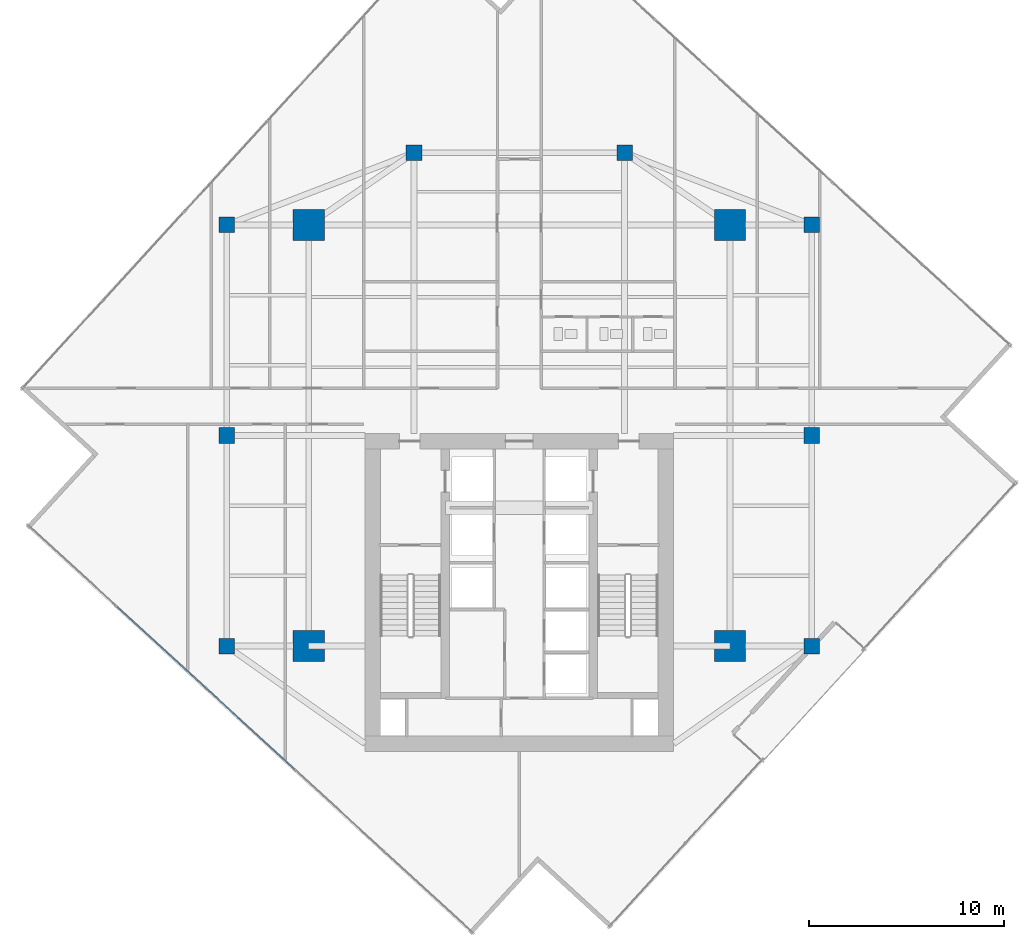
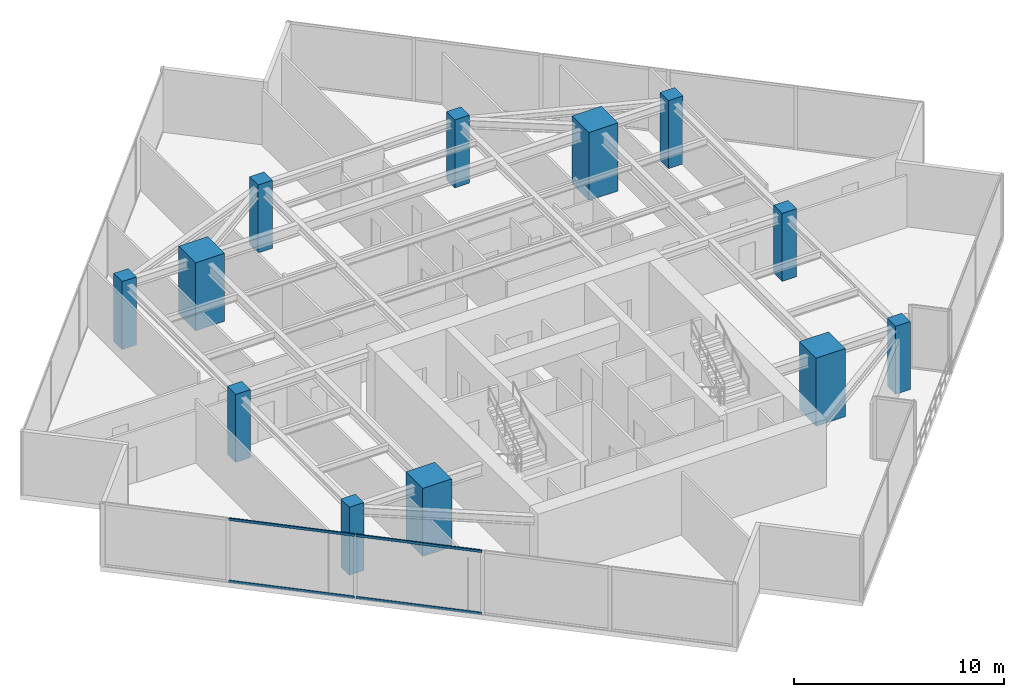
# One storey, part 1 of 26: 12 columns, 4 members, 1 element without a shape of its own.
"""IFC4 building model written with IfcOpenShell, lengths in metres."""

from ifc_helpers import new_model, si_unit, direction, frame, origin, origin_2d, place, context, subcontext, project, spatial, rectangle, hollow_rectangle, extrude, source, transform, mapped, material, material_profile, profile_set, type_object, type_shapes, element, aggregate, save


model = new_model("IFC4")

# Units and contexts
model_context = context("Model", 3, precision=1e-05, world=origin(), true_north=direction((0.0, 1.0)))
body_context = subcontext(model_context, "Body", "Model", "MODEL_VIEW")
ifc_project = project(units=[si_unit("LENGTHUNIT", "METRE"), si_unit("AREAUNIT", "SQUARE_METRE"), si_unit("VOLUMEUNIT", "CUBIC_METRE"), si_unit("PLANEANGLEUNIT", "RADIAN"), si_unit("MASSUNIT", "GRAM", prefix="KILO")], contexts=[model_context])

# Site, building, storey
site_placement = place(None, origin())
site = spatial("IfcSite", under=ifc_project, at=site_placement, CompositionType="ELEMENT")
building_placement = place(site_placement, origin())
building = spatial("IfcBuilding", under=site, at=building_placement, Name="Krantzveldt Concourse Tower", CompositionType="ELEMENT")
storey_placement = place(building_placement, frame((0.0, 0.0, 227.050048828125)))
storey = spatial("IfcBuildingStorey", under=building, at=storey_placement, Name="L55", CompositionType="ELEMENT", Elevation=227.050048828125)

# Columns
ifc_material_1 = material(Name="Concrete C50/60", Category="concrete")
ifc_material_profile_1 = material_profile(ifc_material_1, rectangle(XDim=1.60009765625, YDim=1.60009765625, at=origin_2d()), Name="Concrete C50/60", Category="concrete")
ifc_profile_set_1 = profile_set([ifc_material_profile_1], Name="Concrete C50/60 - RC 1600x1600")
column_type_1 = type_object("IfcColumnType", Name="COL-MC-1600", PredefinedType="USERDEFINED", material=ifc_profile_set_1)
shared_shape_1 = source(origin(), body_context, "Body", "SweptSolid", [
    extrude(rectangle(XDim=1.60009765625, YDim=1.60009765625, at=origin_2d()), origin(), (0.0, 0.0, 1.0), 3.949951171875),
])
type_shapes(column_type_1, [shared_shape_1])
for number, where, z_axis, x_axis, name in (
    (1, (25.199951171875, 15.89990234375, 0.0), (0.0, 0.0, 1.0), (1.0, 0.0, 0.0), "MC-SW-L55"),
    (2, (46.800048828125, 15.89990234375, 0.0), (0.0, 0.0, 1.0), (1.0, 0.0, 0.0), "MC-SE-L55"),
    (3, (46.800048828125, 37.5, 0.0), (0.0, 0.0, 1.0), (1.0, 0.0, 0.0), "MC-NE-L55"),
    (4, (25.199951171875, 37.5, 0.0), (0.0, 0.0, 1.0), (1.0, 0.0, 0.0), "MC-NW-L55"),
):
    element("IfcColumn", number, at=place(storey_placement, frame(where, z_axis=z_axis, x_axis=x_axis)), inside=storey, type_object=column_type_1, Name=name, ObjectType="MEGA COLUMN", PredefinedType="USERDEFINED", context=body_context, shape_type="MappedRepresentation", body=[
        mapped(shared_shape_1, transform((0.0, 0.0, 0.0), x_axis=(1.0, 0.0, 0.0), y_axis=(0.0, 1.0, 0.0), z_axis=(0.0, 0.0, 1.0), scale=1.0)),
    ])
ifc_material_profile_2 = material_profile(ifc_material_1, rectangle(XDim=0.800048828125, YDim=0.800048828125, at=origin_2d()), Name="Concrete C50/60", Category="concrete")
ifc_profile_set_2 = profile_set([ifc_material_profile_2], Name="Concrete C50/60 - RC 800x800")
column_type_2 = type_object("IfcColumnType", Name="COL-C-Z4", PredefinedType="COLUMN", material=ifc_profile_set_2)
shared_shape_2 = source(origin(), body_context, "Body", "SweptSolid", [
    extrude(rectangle(XDim=0.800048828125, YDim=0.800048828125, at=origin_2d()), origin(), (0.0, 0.0, 1.0), 3.949951171875),
])
type_shapes(column_type_2, [shared_shape_2])
for number, where, z_axis, x_axis, name in (
    (5, (21.0, 15.89990234375, 0.0), (0.0, 0.0, 1.0), (1.0, 0.0, 0.0), "PC-R01-L55"),
    (6, (21.0, 26.699951171875, 0.0), (0.0, 0.0, 1.0), (1.0, 0.0, 0.0), "PC-R02-L55"),
    (7, (21.0, 37.5, 0.0), (0.0, 0.0, 1.0), (1.0, 0.0, 0.0), "PC-R03-L55"),
    (8, (30.60009765625, 41.199951171875, 0.0), (0.0, 0.0, 1.0), (1.0, 0.0, 0.0), "PC-R04-L55"),
    (9, (41.39990234375, 41.199951171875, 0.0), (0.0, 0.0, 1.0), (1.0, 0.0, 0.0), "PC-R05-L55"),
    (10, (51.0, 37.5, 0.0), (0.0, 0.0, 1.0), (1.0, 0.0, 0.0), "PC-R06-L55"),
    (11, (51.0, 26.699951171875, 0.0), (0.0, 0.0, 1.0), (1.0, 0.0, 0.0), "PC-R07-L55"),
    (12, (51.0, 15.89990234375, 0.0), (0.0, 0.0, 1.0), (1.0, 0.0, 0.0), "PC-R08-L55"),
):
    element("IfcColumn", number, at=place(storey_placement, frame(where, z_axis=z_axis, x_axis=x_axis)), inside=storey, type_object=column_type_2, Name=name, PredefinedType="COLUMN", context=body_context, shape_type="MappedRepresentation", body=[
        mapped(shared_shape_2, transform((0.0, 0.0, 0.0), x_axis=(1.0, 0.0, 0.0), y_axis=(0.0, 1.0, 0.0), z_axis=(0.0, 0.0, 1.0), scale=1.0)),
    ])

# Curtain wall, members
ifc_material_2 = material(Name="Anodised aluminium 6063-T6", Category="aluminium")
curtain_wall_type = type_object("IfcCurtainWallType", Name="CW3", PredefinedType="USERDEFINED", material=ifc_material_2)
curtain_wall_placement = place(storey_placement, origin())
curtain_wall = element("IfcCurtainWall", 13, at=curtain_wall_placement, inside=storey, type_object=curtain_wall_type, Name="CW-L55-F04", ObjectType="UNITISED CURTAIN WALL", PredefinedType="USERDEFINED")
ifc_material_profile_3 = material_profile(ifc_material_2, hollow_rectangle(XDim=0.070068359375, YDim=0.139892578125, WallThickness=0.0048828125, at=origin_2d()), Name="Anodised aluminium 6063-T6", Category="aluminium")
ifc_profile_set_3 = profile_set([ifc_material_profile_3], Name="Anodised aluminium 6063-T6 - ALU-TRAN 140x70x5")
member_type = type_object("IfcMemberType", Name="CW-TRN-150", PredefinedType="USERDEFINED", material=ifc_profile_set_3)
shared_shape_3 = source(origin(), body_context, "Body", "SweptSolid", [
    extrude(hollow_rectangle(XDim=0.070068359375, YDim=0.139892578125, WallThickness=0.0048828125, at=origin_2d()), origin(), (0.0, 0.0, 1.0), 6.130126953125),
])
type_shapes(member_type, [shared_shape_3])
member_1_placement = place(storey_placement, frame((15.38037109375, 17.91162109375, 0.034912109375), z_axis=(0.737259933213, -0.675609199818, 0.0), x_axis=(0.675609199818, 0.737259933213, 0.0)))
member_1 = element("IfcMember", 14, at=member_1_placement, type_object=member_type, Name="CW-Z34 transom 2.1", ObjectType="TRANSOM", PredefinedType="USERDEFINED", context=body_context, shape_type="MappedRepresentation", body=[
    mapped(shared_shape_3, transform((0.0, 0.0, 0.0), x_axis=(1.0, 0.0, 0.0), y_axis=(0.0, 1.0, 0.0), z_axis=(0.0, 0.0, 1.0), scale=1.0)),
])
member_2_placement = place(storey_placement, frame((15.38037109375, 17.91162109375, 3.635009765625), z_axis=(0.737259933213, -0.675609199818, 0.0), x_axis=(0.675609199818, 0.737259933213, 0.0)))
member_2 = element("IfcMember", 15, at=member_2_placement, type_object=member_type, Name="CW-Z34 transom 2.2", ObjectType="TRANSOM", PredefinedType="USERDEFINED", context=body_context, shape_type="MappedRepresentation", body=[
    mapped(shared_shape_3, transform((0.0, 0.0, 0.0), x_axis=(1.0, 0.0, 0.0), y_axis=(0.0, 1.0, 0.0), z_axis=(0.0, 0.0, 1.0), scale=1.0)),
])
member_3_placement = place(storey_placement, frame((19.951416015625, 13.722900390625, 0.034912109375), z_axis=(0.737279770771, -0.675587551404, 0.0), x_axis=(0.675587551404, 0.737279770771, 0.0)))
member_3 = element("IfcMember", 16, at=member_3_placement, type_object=member_type, Name="CW-Z34 transom 3.1", ObjectType="TRANSOM", PredefinedType="USERDEFINED", context=body_context, shape_type="MappedRepresentation", body=[
    mapped(shared_shape_3, transform((0.0, 0.0, 0.0), x_axis=(1.0, 0.0, 0.0), y_axis=(0.0, 1.0, 0.0), z_axis=(0.0, 0.0, 1.0), scale=1.0)),
])
member_4_placement = place(storey_placement, frame((19.951416015625, 13.722900390625, 3.635009765625), z_axis=(0.737279770771, -0.675587551404, 0.0), x_axis=(0.675587551404, 0.737279770771, 0.0)))
member_4 = element("IfcMember", 17, at=member_4_placement, type_object=member_type, Name="CW-Z34 transom 3.2", ObjectType="TRANSOM", PredefinedType="USERDEFINED", context=body_context, shape_type="MappedRepresentation", body=[
    mapped(shared_shape_3, transform((0.0, 0.0, 0.0), x_axis=(1.0, 0.0, 0.0), y_axis=(0.0, 1.0, 0.0), z_axis=(0.0, 0.0, 1.0), scale=1.0)),
])
aggregate(curtain_wall, [member_1, member_2, member_3, member_4])

save(model, "model.ifc")
